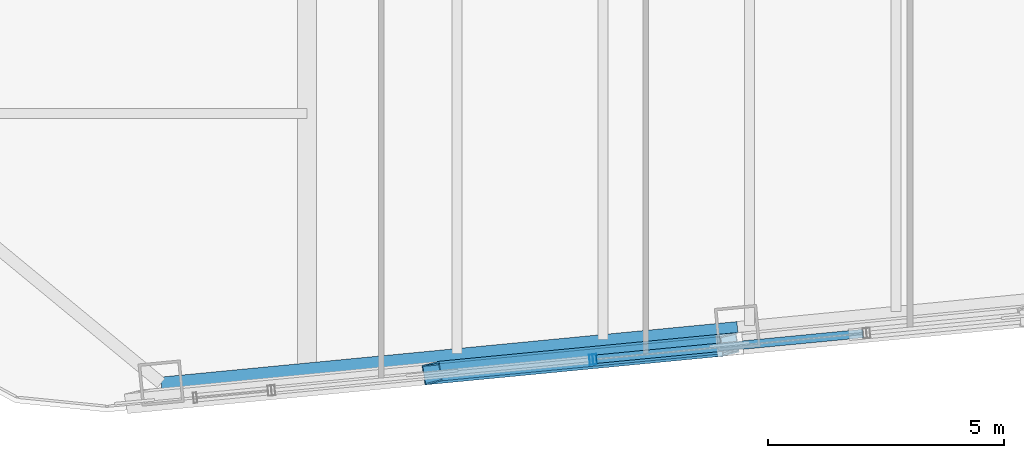
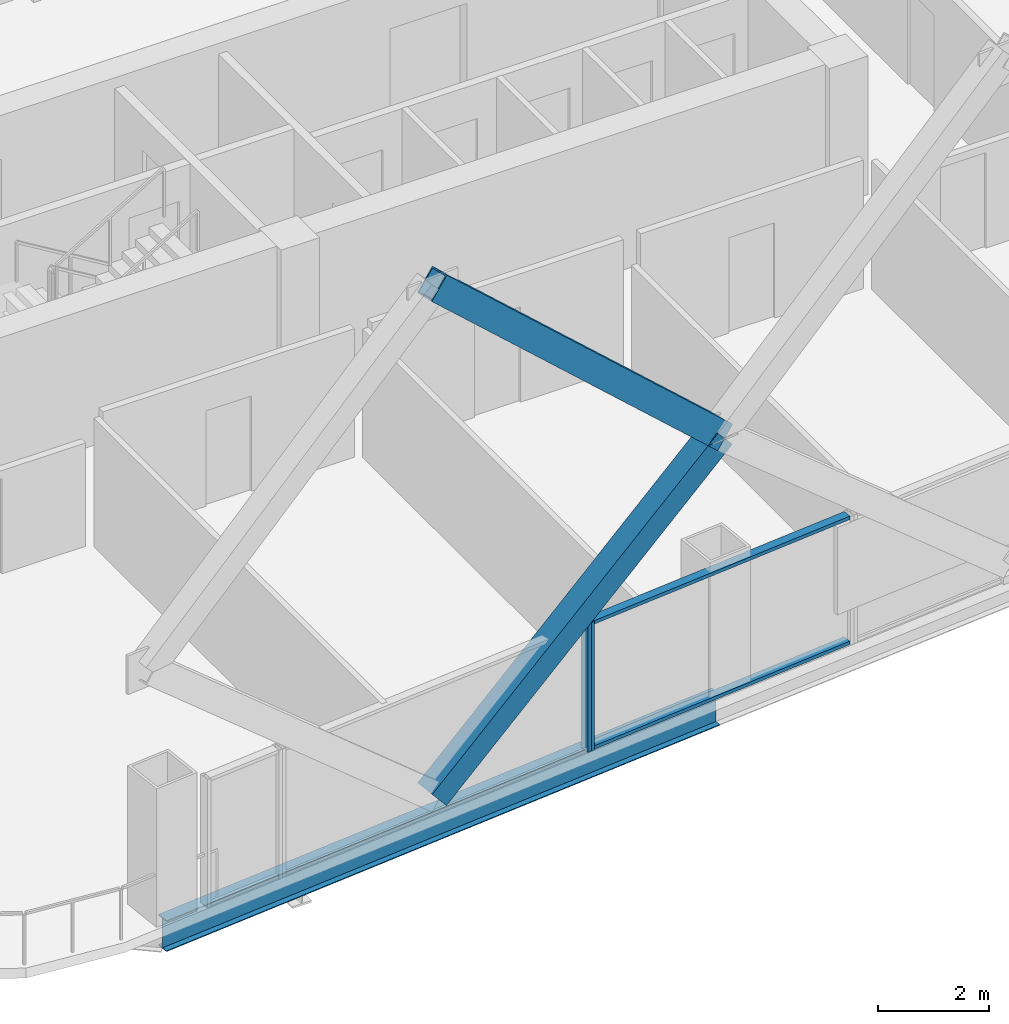
# One storey, part 5 of 32: 6 members, 1 beam, 2 elements without a shape of their own.
"""IFC4 building model written with IfcOpenShell, lengths in metres."""

from ifc_helpers import new_model, si_unit, direction, frame, origin, origin_2d, place, context, subcontext, project, spatial, hollow_rectangle, i_section, extrude, material, layer, layer_set, material_profile, profile_set, type_object, element, aggregate, save


model = new_model("IFC4")

# Units and contexts
model_context = context("Model", 3, precision=1e-05, world=origin(), true_north=direction((0.0, 1.0)))
body_context = subcontext(model_context, "Body", "Model", "MODEL_VIEW")
ifc_project = project(units=[si_unit("LENGTHUNIT", "METRE"), si_unit("AREAUNIT", "SQUARE_METRE"), si_unit("VOLUMEUNIT", "CUBIC_METRE"), si_unit("PLANEANGLEUNIT", "RADIAN"), si_unit("MASSUNIT", "GRAM", prefix="KILO")], contexts=[model_context])

# Site, building, storey
site_placement = place(None, origin())
site = spatial("IfcSite", under=ifc_project, at=site_placement, CompositionType="ELEMENT")
building_placement = place(site_placement, origin())
building = spatial("IfcBuilding", under=site, at=building_placement, Name="Qhalaya Broadcast Tower", CompositionType="ELEMENT")
storey_placement = place(building_placement, frame((0.0, 0.0, 81.64990234375)))
storey = spatial("IfcBuildingStorey", under=building, at=storey_placement, Name="L23", CompositionType="ELEMENT", Elevation=81.64990234375)

# Members
ifc_material_1 = material(Name="Structural Steel ASTM A572 Grade 50", Category="steel")
ifc_material_profile_1 = material_profile(ifc_material_1, hollow_rectangle(XDim=0.419921875, YDim=0.550048828125, WallThickness=0.028076171875, at=origin_2d()), Name="BOX 420x550x28")
ifc_profile_set_1 = profile_set([ifc_material_profile_1], Name="Structural Steel ASTM A572 Grade 50")
member_type_1 = type_object("IfcMemberType", Name="Exoskeleton Diamond Diagonal Mid-Low EX2", PredefinedType="BRACE", material=ifc_profile_set_1)
member_1_placement = place(storey_placement, frame((-6.725830078125, -22.00146484375, 0.360107421875), z_axis=(0.758637209183, 0.073037413912, 0.647406457345), x_axis=(-0.157155783857, 0.98486851796, 0.073048353381)))
element("IfcMember", 1, at=member_1_placement, inside=storey, type_object=member_type_1, Name="B2 Exoskeleton Diamond Brace S1-D2", PredefinedType="BRACE", context=body_context, shape_type="SweptSolid", body=[
    extrude(hollow_rectangle(XDim=0.419921875, YDim=0.550048828125, WallThickness=0.028076171875, at=origin_2d()), origin(), (0.0, 0.0, 1.0), 8.309814453125),
])
member_2_placement = place(storey_placement, frame((-0.421630859375, -21.39453125, 5.739990234375), z_axis=(-0.730619555004, -0.070340028415, 0.679151931638), x_axis=(0.160184449091, -0.984576934745, 0.070350563873)))
element("IfcMember", 2, at=member_2_placement, inside=storey, type_object=member_type_1, Name="B2 Exoskeleton Diamond Brace S1-D4", PredefinedType="BRACE", context=body_context, shape_type="SweptSolid", body=[
    extrude(hollow_rectangle(XDim=0.419921875, YDim=0.550048828125, WallThickness=0.028076171875, at=origin_2d()), origin(), (0.0, 0.0, 1.0), 8.628662109375),
])

# Beam
ifc_material_2 = material(Name="Structural Steel ASTM A992 Grade 50", Category="steel")
ifc_material_profile_2 = material_profile(ifc_material_2, i_section(OverallWidth=0.25390625, OverallDepth=0.68310546875, WebThickness=0.012451171875, FlangeThickness=0.01904296875, at=origin_2d()), Name="W27X94")
ifc_profile_set_2 = profile_set([ifc_material_profile_2], Name="Structural Steel ASTM A992 Grade 50")
beam_type = type_object("IfcBeamType", Name="Perimeter Ring Spandrel Beam SP1", PredefinedType="SPANDREL", material=ifc_profile_set_2)
beam_placement = place(storey_placement, frame((-12.46533203125, -22.212646484375, -0.5615234375), z_axis=(0.99539563662, 0.095851586307, 0.0), x_axis=(-0.095851586307, 0.99539563662, 0.0)))
element("IfcBeam", 3, at=beam_placement, inside=storey, type_object=beam_type, Name="L23 SP1 L23-SPR-01", PredefinedType="SPANDREL", context=body_context, shape_type="SweptSolid", body=[
    extrude(i_section(OverallWidth=0.25390625, OverallDepth=0.68310546875, WebThickness=0.012451171875, FlangeThickness=0.01904296875, at=origin_2d()), origin(), (0.0, 0.0, 1.0), 12.2666015625),
])

# Curtain wall, member
ifc_material_3 = material(Name="Fired Architectural Terracotta", Category="masonry")
ifc_layer_1 = layer(ifc_material_3, 0.219970703125, Name="Fired Architectural Terracotta")
ifc_layer_set_1 = layer_set([ifc_layer_1], Name="Fired Architectural Terracotta")
curtain_wall_type_1 = type_object("IfcCurtainWallType", Name="Block-Cap Unitised Terracotta Spandrel Wall CW-07", PredefinedType="NOTDEFINED", material=ifc_layer_set_1)
curtain_wall_1_placement = place(storey_placement, origin())
curtain_wall_1 = element("IfcCurtainWall", 4, at=curtain_wall_1_placement, inside=storey, type_object=curtain_wall_type_1, Name="L23 Unitised Curtain Wall L23-CW-S2", PredefinedType="NOTDEFINED")
ifc_material_4 = material(Name="Anodised Aluminium 6063-T6", Category="aluminium")
ifc_material_profile_3 = material_profile(ifc_material_4, hollow_rectangle(XDim=0.074951171875, YDim=0.219970703125, WallThickness=0.00390625, at=origin_2d()), Name="ALU-MUL 75x220x4")
ifc_profile_set_3 = profile_set([ifc_material_profile_3], Name="Anodised Aluminium 6063-T6")
member_type_2 = type_object("IfcMemberType", Name="Unitised Curtain-Wall Mullion M01", PredefinedType="MULLION", material=ifc_profile_set_3)
member_3_placement = place(storey_placement, frame((-3.353515625, -21.717041015625, 0.0), z_axis=(0.0, 0.0, 1.0), x_axis=(0.995395819861, 0.095849683373, 0.0)))
member_3 = element("IfcMember", 5, at=member_3_placement, type_object=member_type_2, Name="CW-07 mullion 2", PredefinedType="MULLION", context=body_context, shape_type="SweptSolid", body=[
    extrude(hollow_rectangle(XDim=0.074951171875, YDim=0.219970703125, WallThickness=0.00390625, at=origin_2d()), origin(), (0.0, 0.0, 1.0), 2.830078125),
])
aggregate(curtain_wall_1, [member_3])

# Curtain wall, members
ifc_material_5 = material(Name="Solar-Control Low-E Triple Glazing", Category="glass")
ifc_layer_2 = layer(ifc_material_5, 0.219970703125, Name="Solar-Control Low-E Triple Glazing")
ifc_layer_set_2 = layer_set([ifc_layer_2], Name="Solar-Control Low-E Triple Glazing")
curtain_wall_type_2 = type_object("IfcCurtainWallType", Name="Even-Block 4-Storey Double-Module Curtain Wall CW-03", PredefinedType="NOTDEFINED", material=ifc_layer_set_2)
curtain_wall_2_placement = place(storey_placement, origin())
curtain_wall_2 = element("IfcCurtainWall", 6, at=curtain_wall_2_placement, inside=storey, type_object=curtain_wall_type_2, Name="L23 Unitised Curtain Wall L23-CW-S3", PredefinedType="NOTDEFINED")
member_4_placement = place(storey_placement, frame((-3.27880859375, -21.709716796875, 0.0), z_axis=(0.0, 0.0, 1.0), x_axis=(0.995396371729, 0.095843952075, 0.0)))
member_4 = element("IfcMember", 7, at=member_4_placement, type_object=member_type_2, Name="CW-03 mullion 1", PredefinedType="MULLION", context=body_context, shape_type="SweptSolid", body=[
    extrude(hollow_rectangle(XDim=0.074951171875, YDim=0.219970703125, WallThickness=0.00390625, at=origin_2d()), origin(), (0.0, 0.0, 1.0), 2.830078125),
])
ifc_material_profile_4 = material_profile(ifc_material_4, hollow_rectangle(XDim=0.074951171875, YDim=0.179931640625, WallThickness=0.00390625, at=origin_2d()), Name="ALU-TRN 75x180x4")
ifc_profile_set_4 = profile_set([ifc_material_profile_4], Name="Anodised Aluminium 6063-T6")
member_type_3 = type_object("IfcMemberType", Name="Unitised Curtain-Wall Transom T01", PredefinedType="USERDEFINED", material=ifc_profile_set_4)
member_5_placement = place(storey_placement, frame((-3.241455078125, -21.706298828125, 0.03759765625), z_axis=(0.995396483295, 0.095842793389, 0.0), x_axis=(0.0, 0.0, 1.0)))
member_5 = element("IfcMember", 8, at=member_5_placement, type_object=member_type_3, Name="CW-03 transom 1.1", ObjectType="TRANSOM", PredefinedType="USERDEFINED", context=body_context, shape_type="SweptSolid", body=[
    extrude(hollow_rectangle(XDim=0.074951171875, YDim=0.179931640625, WallThickness=0.00390625, at=origin_2d()), origin(), (0.0, 0.0, 1.0), 5.6728515625),
])
member_6_placement = place(storey_placement, frame((-3.241455078125, -21.706298828125, 2.79248046875), z_axis=(0.995396483295, 0.095842793389, 0.0), x_axis=(0.0, 0.0, 1.0)))
member_6 = element("IfcMember", 9, at=member_6_placement, type_object=member_type_3, Name="CW-03 transom 1.2", ObjectType="TRANSOM", PredefinedType="USERDEFINED", context=body_context, shape_type="SweptSolid", body=[
    extrude(hollow_rectangle(XDim=0.074951171875, YDim=0.179931640625, WallThickness=0.00390625, at=origin_2d()), origin(), (0.0, 0.0, 1.0), 5.6728515625),
])
aggregate(curtain_wall_2, [member_4, member_5, member_6])

save(model, "model.ifc")
